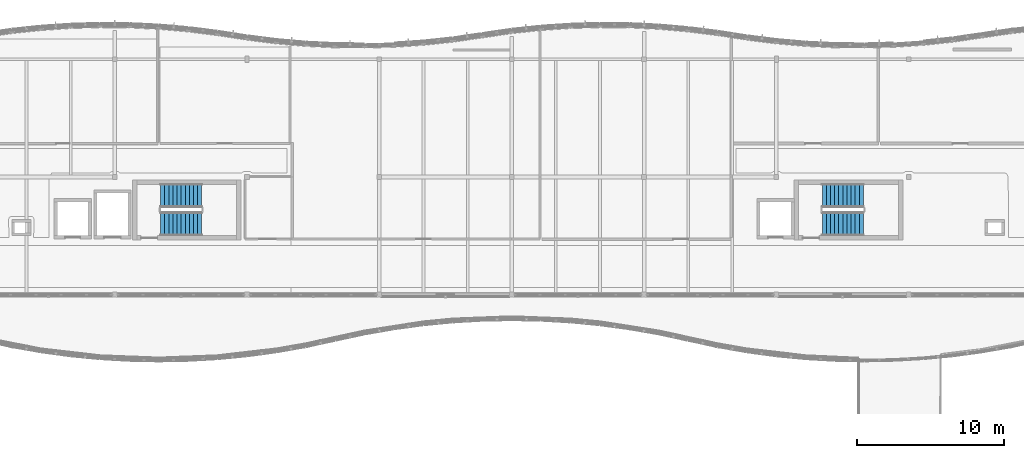
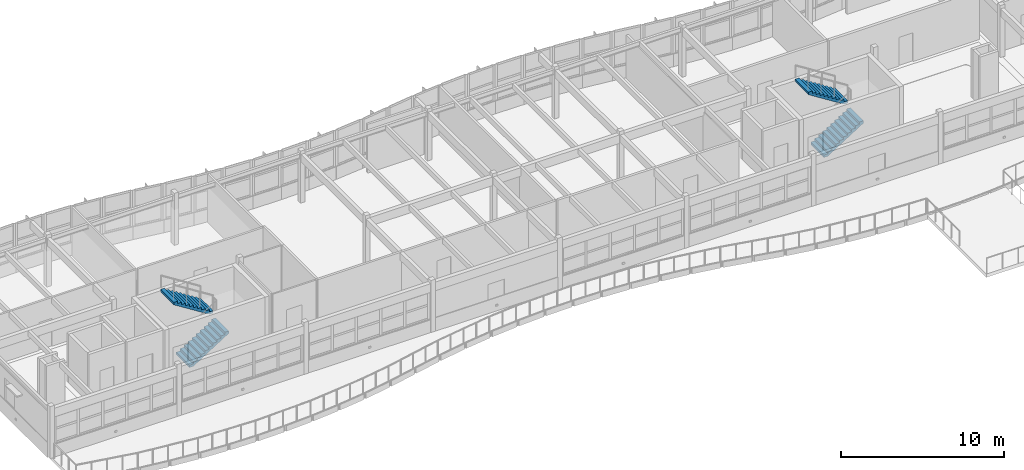
# One storey, part 23 of 33: 4 stair flights, 2 elements without a shape of their own.
"""IFC4 building model written with IfcOpenShell, lengths in metres."""

from ifc_helpers import new_model, si_unit, direction, frame, origin, place, context, subcontext, project, spatial, polyline, outline, extrude, material, type_object, element, aggregate, save


model = new_model("IFC4")

# Units and contexts
model_context = context("Model", 3, precision=1e-05, world=origin(), true_north=direction((0.0, 1.0)))
body_context = subcontext(model_context, "Body", "Model", "MODEL_VIEW")
ifc_project = project(units=[si_unit("LENGTHUNIT", "METRE"), si_unit("AREAUNIT", "SQUARE_METRE"), si_unit("VOLUMEUNIT", "CUBIC_METRE"), si_unit("PLANEANGLEUNIT", "RADIAN"), si_unit("MASSUNIT", "GRAM", prefix="KILO")], contexts=[model_context])

# Site, building, storey
site_placement = place(None, origin())
site = spatial("IfcSite", under=ifc_project, at=site_placement, CompositionType="ELEMENT")
building_placement = place(site_placement, origin())
building = spatial("IfcBuilding", under=site, at=building_placement, Name="Tonlespit Floodbar School", CompositionType="ELEMENT")
storey_placement = place(building_placement, frame((0.0, 0.0, 16.199951171875)))
storey = spatial("IfcBuildingStorey", under=building, at=storey_placement, Name="L04", CompositionType="ELEMENT", Elevation=16.199951171875)

# Stair, stair flights
ifc_material = material(Name="Concrete C40/50", Category="concrete")
stair_type = type_object("IfcStairType", Name="Stair_Core_Upper", PredefinedType="HALF_TURN_STAIR", material=ifc_material)
stair_1_placement = place(storey_placement, origin())
stair_1 = element("IfcStair", 1, at=stair_1_placement, inside=storey, type_object=stair_type, Name="L04 Core C1 escape stair", PredefinedType="HALF_TURN_STAIR")
stair_flight_type = type_object("IfcStairFlightType", Name="Flight_Core_Upper", PredefinedType="STRAIGHT", material=ifc_material)
stair_flight_1_placement = place(storey_placement, frame((56.1201171875, 108.81005859375, 0.0), z_axis=(0.0, 0.0, 1.0), x_axis=(1.0, 0.0, 0.0)))
stair_flight_1 = element("IfcStairFlight", 2, at=stair_flight_1_placement, type_object=stair_flight_type, Name="ST-C1 flight 1", NumberOfRisers=11, NumberOfTreads=10, PredefinedType="STRAIGHT", RiserHeight=0.177272727, TreadLength=0.28, context=body_context, shape_type="SweptSolid", body=[
    extrude(outline(polyline([(0.0, 0.0), (0.0, 0.17724609375), (0.280029296875, 0.17724609375), (0.280029296875, 0.3544921875), (0.56005859375, 0.3544921875), (0.56005859375, 0.53173828125), (0.840087890625, 0.53173828125), (0.840087890625, 0.708984375), (1.1201171875, 0.708984375), (1.1201171875, 0.886474609375), (1.39990234375, 0.886474609375), (1.39990234375, 1.063720703125), (1.679931640625, 1.063720703125), (1.679931640625, 1.240966796875), (1.9599609375, 1.240966796875), (1.9599609375, 1.418212890625), (2.239990234375, 1.418212890625), (2.239990234375, 1.595458984375), (2.52001953125, 1.595458984375), (2.52001953125, 1.772705078125), (2.800048828125, 1.772705078125), (2.800048828125, 1.949951171875), (2.800048828125, 1.59521484375), (0.2802734375, 0.0), (0.0, 0.0)])), frame((0.0, 0.81005859375, 0.0), z_axis=(0.0, -1.0, 0.0), x_axis=(1.0, 0.0, 0.0)), (0.0, 0.0, 1.0), 1.6201171875),
])
stair_flight_2_placement = place(storey_placement, frame((58.919921875, 110.72998046875, 1.949951171875), z_axis=(0.0, 0.0, 1.0), x_axis=(-1.0, 0.0, 0.0)))
stair_flight_2 = element("IfcStairFlight", 3, at=stair_flight_2_placement, type_object=stair_flight_type, Name="ST-C1 flight 2", NumberOfRisers=11, NumberOfTreads=10, PredefinedType="STRAIGHT", RiserHeight=0.177272727, TreadLength=0.28, context=body_context, shape_type="SweptSolid", body=[
    extrude(outline(polyline([(0.0, 0.0), (0.0, 0.17724609375), (0.280029296875, 0.17724609375), (0.280029296875, 0.3544921875), (0.56005859375, 0.3544921875), (0.56005859375, 0.53173828125), (0.840087890625, 0.53173828125), (0.840087890625, 0.708984375), (1.1201171875, 0.708984375), (1.1201171875, 0.886474609375), (1.39990234375, 0.886474609375), (1.39990234375, 1.063720703125), (1.679931640625, 1.063720703125), (1.679931640625, 1.240966796875), (1.9599609375, 1.240966796875), (1.9599609375, 1.418212890625), (2.239990234375, 1.418212890625), (2.239990234375, 1.595458984375), (2.52001953125, 1.595458984375), (2.52001953125, 1.772705078125), (2.800048828125, 1.772705078125), (2.800048828125, 1.949951171875), (2.800048828125, 1.59521484375), (0.2802734375, 0.0), (0.0, 0.0)])), frame((0.0, 0.81005859375, 0.0), z_axis=(0.0, -1.0, 0.0), x_axis=(1.0, 0.0, 0.0)), (0.0, 0.0, 1.0), 1.6201171875),
])
aggregate(stair_1, [stair_flight_1, stair_flight_2])

stair_2_placement = place(storey_placement, origin())
stair_2 = element("IfcStair", 4, at=stair_2_placement, inside=storey, type_object=stair_type, Name="L04 Core C2 escape stair", PredefinedType="HALF_TURN_STAIR")
stair_flight_3_placement = place(storey_placement, frame((101.1201171875, 108.81005859375, 0.0), z_axis=(0.0, 0.0, 1.0), x_axis=(1.0, 0.0, 0.0)))
stair_flight_3 = element("IfcStairFlight", 5, at=stair_flight_3_placement, type_object=stair_flight_type, Name="ST-C2 flight 1", NumberOfRisers=11, NumberOfTreads=10, PredefinedType="STRAIGHT", RiserHeight=0.177272727, TreadLength=0.28, context=body_context, shape_type="SweptSolid", body=[
    extrude(outline(polyline([(0.0, 0.0), (0.0, 0.17724609375), (0.280029296875, 0.17724609375), (0.280029296875, 0.3544921875), (0.56005859375, 0.3544921875), (0.56005859375, 0.53173828125), (0.840087890625, 0.53173828125), (0.840087890625, 0.708984375), (1.1201171875, 0.708984375), (1.1201171875, 0.886474609375), (1.39990234375, 0.886474609375), (1.39990234375, 1.063720703125), (1.679931640625, 1.063720703125), (1.679931640625, 1.240966796875), (1.9599609375, 1.240966796875), (1.9599609375, 1.418212890625), (2.239990234375, 1.418212890625), (2.239990234375, 1.595458984375), (2.52001953125, 1.595458984375), (2.52001953125, 1.772705078125), (2.800048828125, 1.772705078125), (2.800048828125, 1.949951171875), (2.800048828125, 1.59521484375), (0.2802734375, 0.0), (0.0, 0.0)])), frame((0.0, 0.81005859375, 0.0), z_axis=(0.0, -1.0, 0.0), x_axis=(1.0, 0.0, 0.0)), (0.0, 0.0, 1.0), 1.6201171875),
])
stair_flight_4_placement = place(storey_placement, frame((103.919921875, 110.72998046875, 1.949951171875), z_axis=(0.0, 0.0, 1.0), x_axis=(-1.0, 0.0, 0.0)))
stair_flight_4 = element("IfcStairFlight", 6, at=stair_flight_4_placement, type_object=stair_flight_type, Name="ST-C2 flight 2", NumberOfRisers=11, NumberOfTreads=10, PredefinedType="STRAIGHT", RiserHeight=0.177272727, TreadLength=0.28, context=body_context, shape_type="SweptSolid", body=[
    extrude(outline(polyline([(0.0, 0.0), (0.0, 0.17724609375), (0.280029296875, 0.17724609375), (0.280029296875, 0.3544921875), (0.56005859375, 0.3544921875), (0.56005859375, 0.53173828125), (0.840087890625, 0.53173828125), (0.840087890625, 0.708984375), (1.1201171875, 0.708984375), (1.1201171875, 0.886474609375), (1.39990234375, 0.886474609375), (1.39990234375, 1.063720703125), (1.679931640625, 1.063720703125), (1.679931640625, 1.240966796875), (1.9599609375, 1.240966796875), (1.9599609375, 1.418212890625), (2.239990234375, 1.418212890625), (2.239990234375, 1.595458984375), (2.52001953125, 1.595458984375), (2.52001953125, 1.772705078125), (2.800048828125, 1.772705078125), (2.800048828125, 1.949951171875), (2.800048828125, 1.59521484375), (0.2802734375, 0.0), (0.0, 0.0)])), frame((0.0, 0.81005859375, 0.0), z_axis=(0.0, -1.0, 0.0), x_axis=(1.0, 0.0, 0.0)), (0.0, 0.0, 1.0), 1.6201171875),
])
aggregate(stair_2, [stair_flight_3, stair_flight_4])

save(model, "model.ifc")
